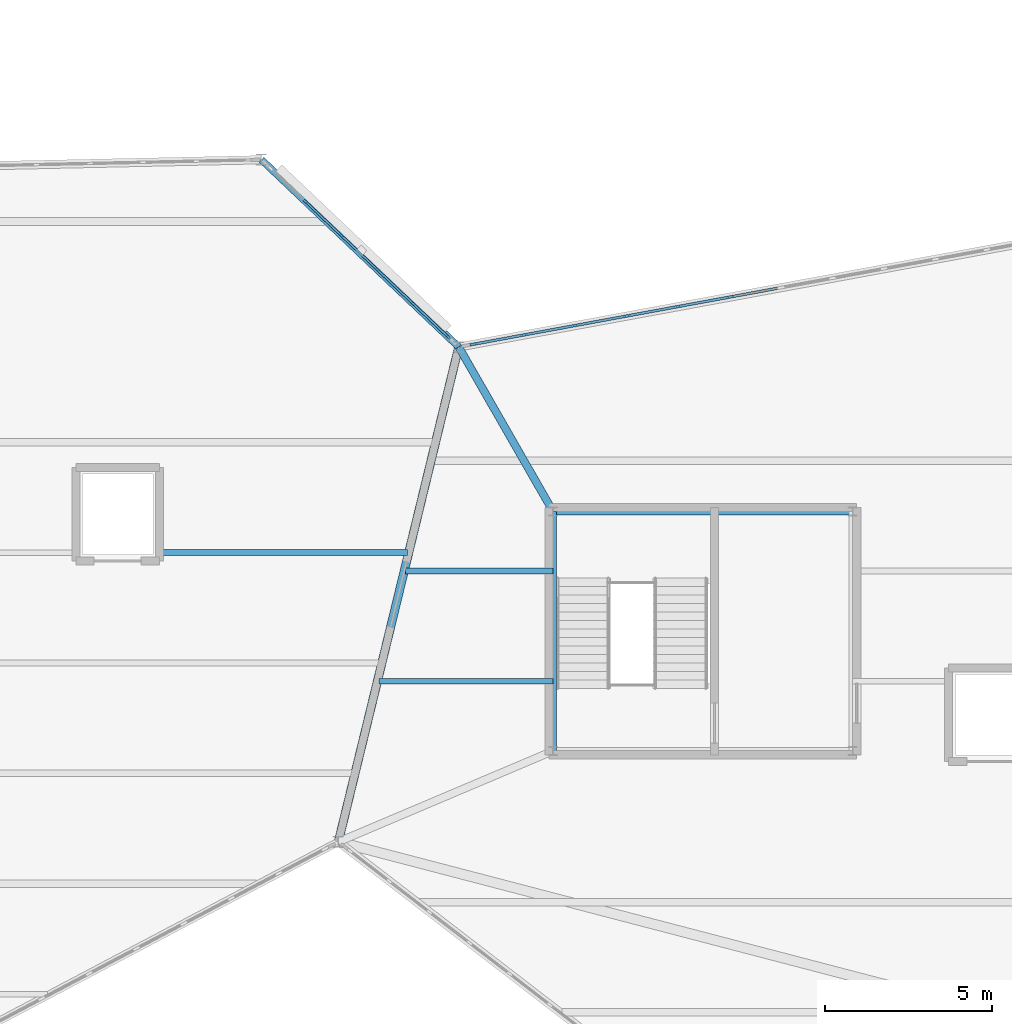
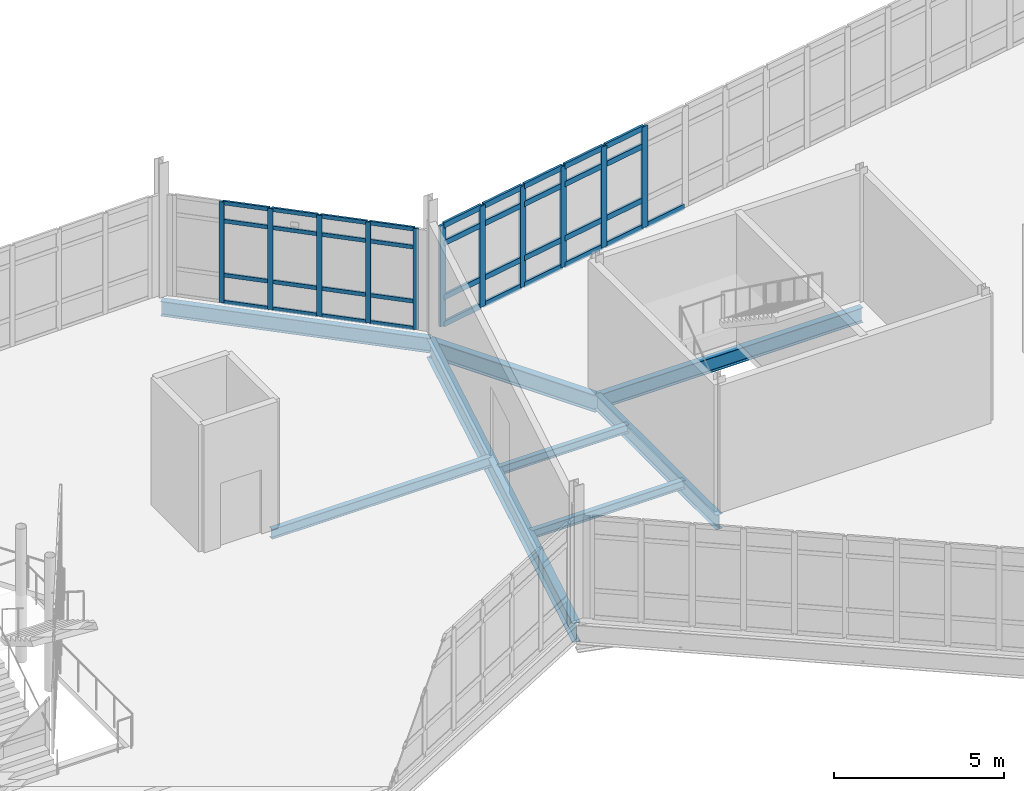
# One storey, part 39 of 114: 48 members, 8 beams, 2 elements without a shape of their own.
"""IFC4 building model written with IfcOpenShell, lengths in metres."""

from ifc_helpers import new_model, si_unit, direction, frame, origin, origin_2d, place, context, subcontext, project, spatial, rectangle, i_section, extrude, material, material_profile, profile_set, type_object, element, aggregate, save


model = new_model("IFC4")

# Units and contexts
model_context = context("Model", 3, precision=1e-05, world=origin(), true_north=direction((0.0, 1.0)))
body_context = subcontext(model_context, "Body", "Model", "MODEL_VIEW")
ifc_project = project(units=[si_unit("LENGTHUNIT", "METRE"), si_unit("AREAUNIT", "SQUARE_METRE"), si_unit("VOLUMEUNIT", "CUBIC_METRE"), si_unit("PLANEANGLEUNIT", "RADIAN"), si_unit("MASSUNIT", "GRAM", prefix="KILO")], contexts=[model_context])

# Site, building, storey
site_placement = place(None, origin())
site = spatial("IfcSite", under=ifc_project, at=site_placement, CompositionType="ELEMENT")
building_placement = place(site_placement, origin())
building = spatial("IfcBuilding", under=site, at=building_placement, Name="Tameran Prism Museum", CompositionType="ELEMENT")
storey_placement = place(building_placement, frame((0.0, 0.0, 10.199951171875)))
storey = spatial("IfcBuildingStorey", under=building, at=storey_placement, Name="L02", CompositionType="ELEMENT", Elevation=10.199951171875)

# Beams
ifc_material_1 = material(Name="Steel Grade 300PLUS (300 MPa)", Category="steel")
ifc_material_profile_1 = material_profile(ifc_material_1, i_section(OverallWidth=0.166015625, OverallDepth=0.306884765625, WebThickness=0.006591796875, FlangeThickness=0.01171875, FilletRadius=0.011474609375, at=origin_2d()))
ifc_profile_set_1 = profile_set([ifc_material_profile_1])
beam_type_1 = type_object("IfcBeamType", Name="BM-J310A", PredefinedType="JOIST", material=ifc_profile_set_1)
beam_1_placement = place(storey_placement, frame((99.30908203125, 33.0, -0.37353515625), z_axis=(1.0, 0.0, 0.0), x_axis=(0.0, 1.0, 0.0)))
element("IfcBeam", 1, at=beam_1_placement, inside=storey, type_object=beam_type_1, Name="Floor Beam BM-0875", PredefinedType="JOIST", context=body_context, shape_type="SweptSolid", body=[
    extrude(i_section(OverallWidth=0.166015625, OverallDepth=0.306884765625, WebThickness=0.006591796875, FlangeThickness=0.01171875, FilletRadius=0.011474609375, at=origin_2d()), origin(), (0.0, 0.0, 1.0), 5.2109375),
])
ifc_material_2 = material(Name="Steel Grade 300PLUS (300 MPa)", Category="steel")
ifc_material_profile_2 = material_profile(ifc_material_2, i_section(OverallWidth=0.1650390625, OverallDepth=0.303955078125, WebThickness=0.006103515625, FlangeThickness=0.01025390625, FilletRadius=0.011474609375, at=origin_2d()))
ifc_profile_set_2 = profile_set([ifc_material_profile_2])
beam_type_2 = type_object("IfcBeamType", Name="BM-J310B", PredefinedType="JOIST", material=ifc_profile_set_2)
beam_2_placement = place(storey_placement, frame((100.111083984375, 36.300048828125, -0.3720703125), z_axis=(1.0, 0.0, 0.0), x_axis=(0.0, 1.0, 0.0)))
element("IfcBeam", 2, at=beam_2_placement, inside=storey, type_object=beam_type_2, Name="Floor Beam BM-0878", PredefinedType="JOIST", context=body_context, shape_type="SweptSolid", body=[
    extrude(i_section(OverallWidth=0.1650390625, OverallDepth=0.303955078125, WebThickness=0.006103515625, FlangeThickness=0.01025390625, FilletRadius=0.011474609375, at=origin_2d()), origin(), (0.0, 0.0, 1.0), 4.408935546875),
])
ifc_material_3 = material(Name="Steel Grade 300PLUS (300 MPa)", Category="steel")
ifc_material_profile_3 = material_profile(ifc_material_3, i_section(OverallWidth=0.1708984375, OverallDepth=0.35595703125, WebThickness=0.00732421875, FlangeThickness=0.011474609375, FilletRadius=0.011474609375, at=origin_2d()))
ifc_profile_set_3 = profile_set([ifc_material_profile_3])
beam_type_3 = type_object("IfcBeamType", Name="BM-J360B", PredefinedType="JOIST", material=ifc_profile_set_3)
beam_3_placement = place(storey_placement, frame((92.72998046875, 36.85009765625, -0.3779296875), z_axis=(1.0, 0.0, 0.0), x_axis=(0.0, 1.0, 0.0)))
element("IfcBeam", 3, at=beam_3_placement, inside=storey, type_object=beam_type_3, Name="Floor Beam BM-0859", PredefinedType="JOIST", context=body_context, shape_type="SweptSolid", body=[
    extrude(i_section(OverallWidth=0.1708984375, OverallDepth=0.35595703125, WebThickness=0.00732421875, FlangeThickness=0.011474609375, FilletRadius=0.011474609375, at=origin_2d()), origin(), (0.0, 0.0, 1.0), 7.43310546875),
])
ifc_material_4 = material(Name="Steel Grade 300PLUS (300 MPa)", Category="steel")
ifc_material_profile_4 = material_profile(ifc_material_4, i_section(OverallWidth=0.208984375, OverallDepth=0.528076171875, WebThickness=0.009521484375, FlangeThickness=0.01318359375, FilletRadius=0.013916015625, at=origin_2d()))
ifc_profile_set_4 = profile_set([ifc_material_profile_4])
beam_type_4 = type_object("IfcBeamType", Name="BM-SP530B", PredefinedType="SPANDREL", material=ifc_profile_set_4)
beam_4_placement = place(storey_placement, frame((101.699951171875, 43.0, -0.4638671875), z_axis=(-0.725294606745, 0.688438619942, 0.0), x_axis=(-0.688438619942, -0.725294606745, 0.0)))
element("IfcBeam", 4, at=beam_4_placement, inside=storey, type_object=beam_type_4, Name="Perimeter Spandrel SP-0688", PredefinedType="SPANDREL", context=body_context, shape_type="SweptSolid", body=[
    extrude(i_section(OverallWidth=0.208984375, OverallDepth=0.528076171875, WebThickness=0.009521484375, FlangeThickness=0.01318359375, FilletRadius=0.013916015625, at=origin_2d()), origin(), (0.0, 0.0, 1.0), 8.134521484375),
])
beam_5_placement = place(storey_placement, frame((113.47998046875, 38.080078125, -0.50390625), z_axis=(-1.0, 0.0, 0.0), x_axis=(0.0, -1.0, 0.0)))
element("IfcBeam", 5, at=beam_5_placement, inside=storey, type_object=beam_type_4, Name="Core Ring Beam CTB-0779", PredefinedType="SPANDREL", context=body_context, shape_type="SweptSolid", body=[
    extrude(i_section(OverallWidth=0.208984375, OverallDepth=0.528076171875, WebThickness=0.009521484375, FlangeThickness=0.01318359375, FilletRadius=0.013916015625, at=origin_2d()), origin(), (0.0, 0.0, 1.0), 8.9599609375),
])
beam_6_placement = place(storey_placement, frame((104.52001953125, 38.080078125, -0.50390625), z_axis=(0.0, -1.0, 0.0), x_axis=(1.0, 0.0, 0.0)))
element("IfcBeam", 6, at=beam_6_placement, inside=storey, type_object=beam_type_4, Name="Core Ring Beam CTB-0780", PredefinedType="SPANDREL", context=body_context, shape_type="SweptSolid", body=[
    extrude(i_section(OverallWidth=0.208984375, OverallDepth=0.528076171875, WebThickness=0.009521484375, FlangeThickness=0.01318359375, FilletRadius=0.013916015625, at=origin_2d()), origin(), (0.0, 0.0, 1.0), 7.16015625),
])
ifc_material_5 = material(Name="Steel Grade 350 (350 MPa)", Category="steel")
ifc_material_profile_5 = material_profile(ifc_material_5, i_section(OverallWidth=0.25, OverallDepth=0.699951171875, WebThickness=0.010009765625, FlangeThickness=0.02001953125, at=origin_2d()))
ifc_profile_set_5 = profile_set([ifc_material_profile_5])
beam_type_5 = type_object("IfcBeamType", Name="BM-SP700", PredefinedType="SPANDREL", material=ifc_profile_set_5)
beam_7_placement = place(storey_placement, frame((98.10009765625, 28.199951171875, -0.570068359375), z_axis=(0.236341762997, 0.971669990822, 0.0), x_axis=(-0.971669990822, 0.236341762997, 0.0)))
element("IfcBeam", 7, at=beam_7_placement, inside=storey, type_object=beam_type_5, Name="Perimeter Spandrel SP-0687", PredefinedType="SPANDREL", context=body_context, shape_type="SweptSolid", body=[
    extrude(i_section(OverallWidth=0.25, OverallDepth=0.699951171875, WebThickness=0.010009765625, FlangeThickness=0.02001953125, at=origin_2d()), origin(), (0.0, 0.0, 1.0), 15.2314453125),
])
ifc_material_6 = material(Name="Steel Grade 300PLUS (300 MPa)", Category="steel")
ifc_material_profile_6 = material_profile(ifc_material_6, i_section(OverallWidth=0.22900390625, OverallDepth=0.612060546875, WebThickness=0.011962890625, FlangeThickness=0.01953125, FilletRadius=0.013916015625, at=origin_2d()))
ifc_profile_set_6 = profile_set([ifc_material_profile_6])
beam_type_6 = type_object("IfcBeamType", Name="BM-UB610A", PredefinedType="BEAM", material=ifc_profile_set_6)
beam_8_placement = place(storey_placement, frame((104.52001953125, 38.080078125, -0.56005859375), z_axis=(-0.4972929541, 0.867582686436, 0.0), x_axis=(-0.867582686436, -0.4972929541, 0.0)))
element("IfcBeam", 8, at=beam_8_placement, inside=storey, type_object=beam_type_6, Name="Frame Tie Girder FG-1423", PredefinedType="BEAM", context=body_context, shape_type="SweptSolid", body=[
    extrude(i_section(OverallWidth=0.22900390625, OverallDepth=0.612060546875, WebThickness=0.011962890625, FlangeThickness=0.01953125, FilletRadius=0.013916015625, at=origin_2d()), origin(), (0.0, 0.0, 1.0), 5.6708984375),
])

# Curtain wall, members
ifc_material_7 = material(Name="Anodised Aluminium 6063-T6 and Cyclone Solar Glass", Category="aluminium")
curtain_wall_type_1 = type_object("IfcCurtainWallType", Name="CW-FAC-738x362", PredefinedType="USERDEFINED", material=ifc_material_7)
curtain_wall_1_placement = place(storey_placement, origin())
curtain_wall_1 = element("IfcCurtainWall", 9, at=curtain_wall_1_placement, inside=storey, type_object=curtain_wall_type_1, Name="Unitised Curtain Wall CW-111", ObjectType="UNITISED CURTAIN WALL", PredefinedType="USERDEFINED")
ifc_material_8 = material(Name="Anodised Aluminium Alloy 6063-T6", Category="aluminium")
ifc_material_profile_7 = material_profile(ifc_material_8, rectangle(XDim=0.06494140625, YDim=0.159912109375, at=origin_2d()))
ifc_profile_set_7 = profile_set([ifc_material_profile_7])
member_type_1 = type_object("IfcMemberType", Name="CW-MUL-A", PredefinedType="MULLION", material=ifc_profile_set_7)
member_1_placement = place(storey_placement, frame((97.123779296875, 47.343505859375, 0.0), z_axis=(0.0, 0.0, 1.0), x_axis=(0.688425100987, 0.725307438491, 0.0)))
member_1 = element("IfcMember", 10, at=member_1_placement, type_object=member_type_1, Name="CW-111 mullion 2", PredefinedType="MULLION", context=body_context, shape_type="SweptSolid", body=[
    extrude(rectangle(XDim=0.06494140625, YDim=0.159912109375, at=origin_2d()), origin(), (0.0, 0.0, 1.0), 3.6201171875),
])
member_2_placement = place(storey_placement, frame((98.193603515625, 46.328125, 0.0), z_axis=(0.0, 0.0, 1.0), x_axis=(0.688425100987, 0.725307438491, 0.0)))
member_2 = element("IfcMember", 11, at=member_2_placement, type_object=member_type_1, Name="CW-111 mullion 3", PredefinedType="MULLION", context=body_context, shape_type="SweptSolid", body=[
    extrude(rectangle(XDim=0.06494140625, YDim=0.159912109375, at=origin_2d()), origin(), (0.0, 0.0, 1.0), 3.6201171875),
])
member_3_placement = place(storey_placement, frame((99.263427734375, 45.312744140625, 0.0), z_axis=(0.0, 0.0, 1.0), x_axis=(0.688425100987, 0.725307438491, 0.0)))
member_3 = element("IfcMember", 12, at=member_3_placement, type_object=member_type_1, Name="CW-111 mullion 4", PredefinedType="MULLION", context=body_context, shape_type="SweptSolid", body=[
    extrude(rectangle(XDim=0.06494140625, YDim=0.159912109375, at=origin_2d()), origin(), (0.0, 0.0, 1.0), 3.6201171875),
])
member_4_placement = place(storey_placement, frame((100.333251953125, 44.29736328125, 0.0), z_axis=(0.0, 0.0, 1.0), x_axis=(0.688425100987, 0.725307438491, 0.0)))
member_4 = element("IfcMember", 13, at=member_4_placement, type_object=member_type_1, Name="CW-111 mullion 5", PredefinedType="MULLION", context=body_context, shape_type="SweptSolid", body=[
    extrude(rectangle(XDim=0.06494140625, YDim=0.159912109375, at=origin_2d()), origin(), (0.0, 0.0, 1.0), 3.6201171875),
])
member_5_placement = place(storey_placement, frame((101.37939453125, 43.304443359375, 0.0), z_axis=(0.0, 0.0, 1.0), x_axis=(0.688425100987, 0.725307438491, 0.0)))
member_5 = element("IfcMember", 14, at=member_5_placement, type_object=member_type_1, Name="CW-111 mullion 6", PredefinedType="MULLION", context=body_context, shape_type="SweptSolid", body=[
    extrude(rectangle(XDim=0.06494140625, YDim=0.159912109375, at=origin_2d()), origin(), (0.0, 0.0, 1.0), 3.6201171875),
])

ifc_material_9 = material(Name="Anodised Aluminium 6063-T6 and Cyclone Solar Glass", Category="aluminium")
curtain_wall_type_2 = type_object("IfcCurtainWallType", Name="CW-FAC-2348x362", PredefinedType="USERDEFINED", material=ifc_material_9)
curtain_wall_2_placement = place(storey_placement, origin())
curtain_wall_2 = element("IfcCurtainWall", 15, at=curtain_wall_2_placement, inside=storey, type_object=curtain_wall_type_2, Name="Unitised Curtain Wall CW-118", ObjectType="UNITISED CURTAIN WALL", PredefinedType="USERDEFINED")
ifc_material_10 = material(Name="Anodised Aluminium Alloy 6063-T6", Category="aluminium")
ifc_material_profile_8 = material_profile(ifc_material_10, rectangle(XDim=0.080078125, YDim=0.219970703125, at=origin_2d()))
ifc_profile_set_8 = profile_set([ifc_material_profile_8])
member_type_2 = type_object("IfcMemberType", Name="CW-MUL-D", PredefinedType="MULLION", material=ifc_profile_set_8)
member_6_placement = place(storey_placement, frame((102.142333984375, 43.081298828125, 0.0), z_axis=(0.0, 0.0, 1.0), x_axis=(-0.181062693106, 0.98347155585, 0.0)))
member_6 = element("IfcMember", 16, at=member_6_placement, type_object=member_type_2, Name="CW-118 mullion 1", PredefinedType="MULLION", context=body_context, shape_type="SweptSolid", body=[
    extrude(rectangle(XDim=0.080078125, YDim=0.219970703125, at=origin_2d()), origin(), (0.0, 0.0, 1.0), 3.6201171875),
])
member_7_placement = place(storey_placement, frame((103.642333984375, 43.357421875, 0.0), z_axis=(0.0, 0.0, 1.0), x_axis=(-0.181062693106, 0.98347155585, 0.0)))
member_7 = element("IfcMember", 17, at=member_7_placement, type_object=member_type_2, Name="CW-118 mullion 2", PredefinedType="MULLION", context=body_context, shape_type="SweptSolid", body=[
    extrude(rectangle(XDim=0.080078125, YDim=0.219970703125, at=origin_2d()), origin(), (0.0, 0.0, 1.0), 3.6201171875),
])
member_8_placement = place(storey_placement, frame((105.181640625, 43.640869140625, 0.0), z_axis=(0.0, 0.0, 1.0), x_axis=(-0.181062693106, 0.98347155585, 0.0)))
member_8 = element("IfcMember", 18, at=member_8_placement, type_object=member_type_2, Name="CW-118 mullion 3", PredefinedType="MULLION", context=body_context, shape_type="SweptSolid", body=[
    extrude(rectangle(XDim=0.080078125, YDim=0.219970703125, at=origin_2d()), origin(), (0.0, 0.0, 1.0), 3.6201171875),
])
member_9_placement = place(storey_placement, frame((106.720947265625, 43.92431640625, 0.0), z_axis=(0.0, 0.0, 1.0), x_axis=(-0.181062693106, 0.98347155585, 0.0)))
member_9 = element("IfcMember", 19, at=member_9_placement, type_object=member_type_2, Name="CW-118 mullion 4", PredefinedType="MULLION", context=body_context, shape_type="SweptSolid", body=[
    extrude(rectangle(XDim=0.080078125, YDim=0.219970703125, at=origin_2d()), origin(), (0.0, 0.0, 1.0), 3.6201171875),
])
member_10_placement = place(storey_placement, frame((108.26025390625, 44.20751953125, 0.0), z_axis=(0.0, 0.0, 1.0), x_axis=(-0.181062693106, 0.98347155585, 0.0)))
member_10 = element("IfcMember", 20, at=member_10_placement, type_object=member_type_2, Name="CW-118 mullion 5", PredefinedType="MULLION", context=body_context, shape_type="SweptSolid", body=[
    extrude(rectangle(XDim=0.080078125, YDim=0.219970703125, at=origin_2d()), origin(), (0.0, 0.0, 1.0), 3.6201171875),
])
member_11_placement = place(storey_placement, frame((109.799560546875, 44.490966796875, 0.0), z_axis=(0.0, 0.0, 1.0), x_axis=(-0.181062693106, 0.98347155585, 0.0)))
member_11 = element("IfcMember", 21, at=member_11_placement, type_object=member_type_2, Name="CW-118 mullion 6", PredefinedType="MULLION", context=body_context, shape_type="SweptSolid", body=[
    extrude(rectangle(XDim=0.080078125, YDim=0.219970703125, at=origin_2d()), origin(), (0.0, 0.0, 1.0), 3.6201171875),
])

# Member
ifc_material_11 = material(Name="Anodised Aluminium Alloy 6063-T6", Category="aluminium")
ifc_material_profile_9 = material_profile(ifc_material_11, rectangle(XDim=0.06494140625, YDim=0.139892578125, at=origin_2d()))
ifc_profile_set_9 = profile_set([ifc_material_profile_9])
member_type_3 = type_object("IfcMemberType", Name="CW-TRN-A", PredefinedType="USERDEFINED", material=ifc_profile_set_9)
member_12_placement = place(storey_placement, frame((97.1474609375, 47.3212890625, 0.032470703125), z_axis=(0.725224216507, -0.688512770972, 0.0), x_axis=(0.688512770972, 0.725224216507, 0.0)))
member_12 = element("IfcMember", 22, at=member_12_placement, type_object=member_type_3, Name="CW-111 transom 2.1", ObjectType="TRANSOM", PredefinedType="USERDEFINED", context=body_context, shape_type="SweptSolid", body=[
    extrude(rectangle(XDim=0.06494140625, YDim=0.139892578125, at=origin_2d()), origin(), (0.0, 0.0, 1.0), 1.409912109375),
])

member_13_placement = place(storey_placement, frame((97.1474609375, 47.3212890625, 1.0), z_axis=(0.725224216507, -0.688512770972, 0.0), x_axis=(0.688512770972, 0.725224216507, 0.0)))
member_13 = element("IfcMember", 23, at=member_13_placement, type_object=member_type_3, Name="CW-111 transom 2.2", ObjectType="TRANSOM", PredefinedType="USERDEFINED", context=body_context, shape_type="SweptSolid", body=[
    extrude(rectangle(XDim=0.06494140625, YDim=0.139892578125, at=origin_2d()), origin(), (0.0, 0.0, 1.0), 1.409912109375),
])

member_14_placement = place(storey_placement, frame((97.1474609375, 47.3212890625, 2.93994140625), z_axis=(0.725224216507, -0.688512770972, 0.0), x_axis=(0.688512770972, 0.725224216507, 0.0)))
member_14 = element("IfcMember", 24, at=member_14_placement, type_object=member_type_3, Name="CW-111 transom 2.3", ObjectType="TRANSOM", PredefinedType="USERDEFINED", context=body_context, shape_type="SweptSolid", body=[
    extrude(rectangle(XDim=0.06494140625, YDim=0.139892578125, at=origin_2d()), origin(), (0.0, 0.0, 1.0), 1.409912109375),
])

member_15_placement = place(storey_placement, frame((97.1474609375, 47.3212890625, 3.587646484375), z_axis=(0.725224216507, -0.688512770972, 0.0), x_axis=(0.688512770972, 0.725224216507, 0.0)))
member_15 = element("IfcMember", 25, at=member_15_placement, type_object=member_type_3, Name="CW-111 transom 2.4", ObjectType="TRANSOM", PredefinedType="USERDEFINED", context=body_context, shape_type="SweptSolid", body=[
    extrude(rectangle(XDim=0.06494140625, YDim=0.139892578125, at=origin_2d()), origin(), (0.0, 0.0, 1.0), 1.409912109375),
])

member_16_placement = place(storey_placement, frame((98.21728515625, 46.305908203125, 0.032470703125), z_axis=(0.725224216507, -0.688512770972, 0.0), x_axis=(0.688512770972, 0.725224216507, 0.0)))
member_16 = element("IfcMember", 26, at=member_16_placement, type_object=member_type_3, Name="CW-111 transom 3.1", ObjectType="TRANSOM", PredefinedType="USERDEFINED", context=body_context, shape_type="SweptSolid", body=[
    extrude(rectangle(XDim=0.06494140625, YDim=0.139892578125, at=origin_2d()), origin(), (0.0, 0.0, 1.0), 1.409912109375),
])

member_17_placement = place(storey_placement, frame((98.21728515625, 46.305908203125, 1.0), z_axis=(0.725224216507, -0.688512770972, 0.0), x_axis=(0.688512770972, 0.725224216507, 0.0)))
member_17 = element("IfcMember", 27, at=member_17_placement, type_object=member_type_3, Name="CW-111 transom 3.2", ObjectType="TRANSOM", PredefinedType="USERDEFINED", context=body_context, shape_type="SweptSolid", body=[
    extrude(rectangle(XDim=0.06494140625, YDim=0.139892578125, at=origin_2d()), origin(), (0.0, 0.0, 1.0), 1.409912109375),
])

member_18_placement = place(storey_placement, frame((98.21728515625, 46.305908203125, 2.93994140625), z_axis=(0.725224216507, -0.688512770972, 0.0), x_axis=(0.688512770972, 0.725224216507, 0.0)))
member_18 = element("IfcMember", 28, at=member_18_placement, type_object=member_type_3, Name="CW-111 transom 3.3", ObjectType="TRANSOM", PredefinedType="USERDEFINED", context=body_context, shape_type="SweptSolid", body=[
    extrude(rectangle(XDim=0.06494140625, YDim=0.139892578125, at=origin_2d()), origin(), (0.0, 0.0, 1.0), 1.409912109375),
])

member_19_placement = place(storey_placement, frame((98.21728515625, 46.305908203125, 3.587646484375), z_axis=(0.725224216507, -0.688512770972, 0.0), x_axis=(0.688512770972, 0.725224216507, 0.0)))
member_19 = element("IfcMember", 29, at=member_19_placement, type_object=member_type_3, Name="CW-111 transom 3.4", ObjectType="TRANSOM", PredefinedType="USERDEFINED", context=body_context, shape_type="SweptSolid", body=[
    extrude(rectangle(XDim=0.06494140625, YDim=0.139892578125, at=origin_2d()), origin(), (0.0, 0.0, 1.0), 1.409912109375),
])

member_20_placement = place(storey_placement, frame((99.286865234375, 45.29052734375, 0.032470703125), z_axis=(0.725306290926, -0.688426310031, 0.0), x_axis=(0.688426310031, 0.725306290926, 0.0)))
member_20 = element("IfcMember", 30, at=member_20_placement, type_object=member_type_3, Name="CW-111 transom 4.1", ObjectType="TRANSOM", PredefinedType="USERDEFINED", context=body_context, shape_type="SweptSolid", body=[
    extrude(rectangle(XDim=0.06494140625, YDim=0.139892578125, at=origin_2d()), origin(), (0.0, 0.0, 1.0), 1.409912109375),
])

member_21_placement = place(storey_placement, frame((99.286865234375, 45.29052734375, 1.0), z_axis=(0.725306290926, -0.688426310031, 0.0), x_axis=(0.688426310031, 0.725306290926, 0.0)))
member_21 = element("IfcMember", 31, at=member_21_placement, type_object=member_type_3, Name="CW-111 transom 4.2", ObjectType="TRANSOM", PredefinedType="USERDEFINED", context=body_context, shape_type="SweptSolid", body=[
    extrude(rectangle(XDim=0.06494140625, YDim=0.139892578125, at=origin_2d()), origin(), (0.0, 0.0, 1.0), 1.409912109375),
])

member_22_placement = place(storey_placement, frame((99.286865234375, 45.29052734375, 2.93994140625), z_axis=(0.725306290926, -0.688426310031, 0.0), x_axis=(0.688426310031, 0.725306290926, 0.0)))
member_22 = element("IfcMember", 32, at=member_22_placement, type_object=member_type_3, Name="CW-111 transom 4.3", ObjectType="TRANSOM", PredefinedType="USERDEFINED", context=body_context, shape_type="SweptSolid", body=[
    extrude(rectangle(XDim=0.06494140625, YDim=0.139892578125, at=origin_2d()), origin(), (0.0, 0.0, 1.0), 1.409912109375),
])

member_23_placement = place(storey_placement, frame((99.286865234375, 45.29052734375, 3.587646484375), z_axis=(0.725306290926, -0.688426310031, 0.0), x_axis=(0.688426310031, 0.725306290926, 0.0)))
member_23 = element("IfcMember", 33, at=member_23_placement, type_object=member_type_3, Name="CW-111 transom 4.4", ObjectType="TRANSOM", PredefinedType="USERDEFINED", context=body_context, shape_type="SweptSolid", body=[
    extrude(rectangle(XDim=0.06494140625, YDim=0.139892578125, at=origin_2d()), origin(), (0.0, 0.0, 1.0), 1.409912109375),
])

member_24_placement = place(storey_placement, frame((100.356689453125, 44.275146484375, 0.032470703125), z_axis=(0.72529579304, -0.688437370135, 0.0), x_axis=(0.688437370135, 0.72529579304, 0.0)))
member_24 = element("IfcMember", 34, at=member_24_placement, type_object=member_type_3, Name="CW-111 transom 5.1", ObjectType="TRANSOM", PredefinedType="USERDEFINED", context=body_context, shape_type="SweptSolid", body=[
    extrude(rectangle(XDim=0.06494140625, YDim=0.139892578125, at=origin_2d()), origin(), (0.0, 0.0, 1.0), 1.377685546875),
])

member_25_placement = place(storey_placement, frame((100.356689453125, 44.275146484375, 1.0), z_axis=(0.72529579304, -0.688437370135, 0.0), x_axis=(0.688437370135, 0.72529579304, 0.0)))
member_25 = element("IfcMember", 35, at=member_25_placement, type_object=member_type_3, Name="CW-111 transom 5.2", ObjectType="TRANSOM", PredefinedType="USERDEFINED", context=body_context, shape_type="SweptSolid", body=[
    extrude(rectangle(XDim=0.06494140625, YDim=0.139892578125, at=origin_2d()), origin(), (0.0, 0.0, 1.0), 1.377685546875),
])

member_26_placement = place(storey_placement, frame((100.356689453125, 44.275146484375, 2.93994140625), z_axis=(0.72529579304, -0.688437370135, 0.0), x_axis=(0.688437370135, 0.72529579304, 0.0)))
member_26 = element("IfcMember", 36, at=member_26_placement, type_object=member_type_3, Name="CW-111 transom 5.3", ObjectType="TRANSOM", PredefinedType="USERDEFINED", context=body_context, shape_type="SweptSolid", body=[
    extrude(rectangle(XDim=0.06494140625, YDim=0.139892578125, at=origin_2d()), origin(), (0.0, 0.0, 1.0), 1.377685546875),
])

member_27_placement = place(storey_placement, frame((100.356689453125, 44.275146484375, 3.587646484375), z_axis=(0.72529579304, -0.688437370135, 0.0), x_axis=(0.688437370135, 0.72529579304, 0.0)))
member_27 = element("IfcMember", 37, at=member_27_placement, type_object=member_type_3, Name="CW-111 transom 5.4", ObjectType="TRANSOM", PredefinedType="USERDEFINED", context=body_context, shape_type="SweptSolid", body=[
    extrude(rectangle(XDim=0.06494140625, YDim=0.139892578125, at=origin_2d()), origin(), (0.0, 0.0, 1.0), 1.377685546875),
])

aggregate(curtain_wall_1, [member_1, member_2, member_3, member_4, member_5, member_12, member_13, member_14, member_15, member_16, member_17, member_18, member_19, member_20, member_21, member_22, member_23, member_24, member_25, member_26, member_27])

ifc_material_12 = material(Name="Anodised Aluminium Alloy 6063-T6", Category="aluminium")
ifc_material_profile_10 = material_profile(ifc_material_12, rectangle(XDim=0.080078125, YDim=0.195068359375, at=origin_2d()))
ifc_profile_set_10 = profile_set([ifc_material_profile_10])
member_type_4 = type_object("IfcMemberType", Name="CW-TRN-D", PredefinedType="USERDEFINED", material=ifc_profile_set_10)
member_28_placement = place(storey_placement, frame((102.181640625, 43.08837890625, 0.0400390625), z_axis=(0.983467441572, 0.181085039053, 0.0), x_axis=(-0.181085039053, 0.983467441572, 0.0)))
member_28 = element("IfcMember", 38, at=member_28_placement, type_object=member_type_4, Name="CW-118 transom 1.1", ObjectType="TRANSOM", PredefinedType="USERDEFINED", context=body_context, shape_type="SweptSolid", body=[
    extrude(rectangle(XDim=0.080078125, YDim=0.195068359375, at=origin_2d()), origin(), (0.0, 0.0, 1.0), 1.4453125),
])

member_29_placement = place(storey_placement, frame((102.181640625, 43.08837890625, 1.0), z_axis=(0.983467441572, 0.181085039053, 0.0), x_axis=(-0.181085039053, 0.983467441572, 0.0)))
member_29 = element("IfcMember", 39, at=member_29_placement, type_object=member_type_4, Name="CW-118 transom 1.2", ObjectType="TRANSOM", PredefinedType="USERDEFINED", context=body_context, shape_type="SweptSolid", body=[
    extrude(rectangle(XDim=0.080078125, YDim=0.195068359375, at=origin_2d()), origin(), (0.0, 0.0, 1.0), 1.4453125),
])

member_30_placement = place(storey_placement, frame((102.181640625, 43.08837890625, 2.93994140625), z_axis=(0.983467441572, 0.181085039053, 0.0), x_axis=(-0.181085039053, 0.983467441572, 0.0)))
member_30 = element("IfcMember", 40, at=member_30_placement, type_object=member_type_4, Name="CW-118 transom 1.3", ObjectType="TRANSOM", PredefinedType="USERDEFINED", context=body_context, shape_type="SweptSolid", body=[
    extrude(rectangle(XDim=0.080078125, YDim=0.195068359375, at=origin_2d()), origin(), (0.0, 0.0, 1.0), 1.4453125),
])

member_31_placement = place(storey_placement, frame((102.181640625, 43.08837890625, 3.580078125), z_axis=(0.983467441572, 0.181085039053, 0.0), x_axis=(-0.181085039053, 0.983467441572, 0.0)))
member_31 = element("IfcMember", 41, at=member_31_placement, type_object=member_type_4, Name="CW-118 transom 1.4", ObjectType="TRANSOM", PredefinedType="USERDEFINED", context=body_context, shape_type="SweptSolid", body=[
    extrude(rectangle(XDim=0.080078125, YDim=0.195068359375, at=origin_2d()), origin(), (0.0, 0.0, 1.0), 1.4453125),
])

member_32_placement = place(storey_placement, frame((103.681640625, 43.36474609375, 0.0400390625), z_axis=(0.983486312401, 0.180982522138, 0.0), x_axis=(-0.180982522138, 0.983486312401, 0.0)))
member_32 = element("IfcMember", 42, at=member_32_placement, type_object=member_type_4, Name="CW-118 transom 2.1", ObjectType="TRANSOM", PredefinedType="USERDEFINED", context=body_context, shape_type="SweptSolid", body=[
    extrude(rectangle(XDim=0.080078125, YDim=0.195068359375, at=origin_2d()), origin(), (0.0, 0.0, 1.0), 1.485107421875),
])

member_33_placement = place(storey_placement, frame((103.681640625, 43.36474609375, 1.0), z_axis=(0.983486312401, 0.180982522138, 0.0), x_axis=(-0.180982522138, 0.983486312401, 0.0)))
member_33 = element("IfcMember", 43, at=member_33_placement, type_object=member_type_4, Name="CW-118 transom 2.2", ObjectType="TRANSOM", PredefinedType="USERDEFINED", context=body_context, shape_type="SweptSolid", body=[
    extrude(rectangle(XDim=0.080078125, YDim=0.195068359375, at=origin_2d()), origin(), (0.0, 0.0, 1.0), 1.485107421875),
])

member_34_placement = place(storey_placement, frame((103.681640625, 43.36474609375, 2.93994140625), z_axis=(0.983486312401, 0.180982522138, 0.0), x_axis=(-0.180982522138, 0.983486312401, 0.0)))
member_34 = element("IfcMember", 44, at=member_34_placement, type_object=member_type_4, Name="CW-118 transom 2.3", ObjectType="TRANSOM", PredefinedType="USERDEFINED", context=body_context, shape_type="SweptSolid", body=[
    extrude(rectangle(XDim=0.080078125, YDim=0.195068359375, at=origin_2d()), origin(), (0.0, 0.0, 1.0), 1.485107421875),
])

member_35_placement = place(storey_placement, frame((103.681640625, 43.36474609375, 3.580078125), z_axis=(0.983486312401, 0.180982522138, 0.0), x_axis=(-0.180982522138, 0.983486312401, 0.0)))
member_35 = element("IfcMember", 45, at=member_35_placement, type_object=member_type_4, Name="CW-118 transom 2.4", ObjectType="TRANSOM", PredefinedType="USERDEFINED", context=body_context, shape_type="SweptSolid", body=[
    extrude(rectangle(XDim=0.080078125, YDim=0.195068359375, at=origin_2d()), origin(), (0.0, 0.0, 1.0), 1.485107421875),
])

member_36_placement = place(storey_placement, frame((105.220947265625, 43.64794921875, 0.0400390625), z_axis=(0.983457041771, 0.181141510953, 0.0), x_axis=(-0.181141510953, 0.983457041771, 0.0)))
member_36 = element("IfcMember", 46, at=member_36_placement, type_object=member_type_4, Name="CW-118 transom 3.1", ObjectType="TRANSOM", PredefinedType="USERDEFINED", context=body_context, shape_type="SweptSolid", body=[
    extrude(rectangle(XDim=0.080078125, YDim=0.195068359375, at=origin_2d()), origin(), (0.0, 0.0, 1.0), 1.4853515625),
])

member_37_placement = place(storey_placement, frame((105.220947265625, 43.64794921875, 1.0), z_axis=(0.983457041771, 0.181141510953, 0.0), x_axis=(-0.181141510953, 0.983457041771, 0.0)))
member_37 = element("IfcMember", 47, at=member_37_placement, type_object=member_type_4, Name="CW-118 transom 3.2", ObjectType="TRANSOM", PredefinedType="USERDEFINED", context=body_context, shape_type="SweptSolid", body=[
    extrude(rectangle(XDim=0.080078125, YDim=0.195068359375, at=origin_2d()), origin(), (0.0, 0.0, 1.0), 1.4853515625),
])

member_38_placement = place(storey_placement, frame((105.220947265625, 43.64794921875, 2.93994140625), z_axis=(0.983457041771, 0.181141510953, 0.0), x_axis=(-0.181141510953, 0.983457041771, 0.0)))
member_38 = element("IfcMember", 48, at=member_38_placement, type_object=member_type_4, Name="CW-118 transom 3.3", ObjectType="TRANSOM", PredefinedType="USERDEFINED", context=body_context, shape_type="SweptSolid", body=[
    extrude(rectangle(XDim=0.080078125, YDim=0.195068359375, at=origin_2d()), origin(), (0.0, 0.0, 1.0), 1.4853515625),
])

member_39_placement = place(storey_placement, frame((105.220947265625, 43.64794921875, 3.580078125), z_axis=(0.983457041771, 0.181141510953, 0.0), x_axis=(-0.181141510953, 0.983457041771, 0.0)))
member_39 = element("IfcMember", 49, at=member_39_placement, type_object=member_type_4, Name="CW-118 transom 3.4", ObjectType="TRANSOM", PredefinedType="USERDEFINED", context=body_context, shape_type="SweptSolid", body=[
    extrude(rectangle(XDim=0.080078125, YDim=0.195068359375, at=origin_2d()), origin(), (0.0, 0.0, 1.0), 1.4853515625),
])

member_40_placement = place(storey_placement, frame((106.76025390625, 43.931396484375, 0.0400390625), z_axis=(0.983457041771, 0.181141510953, 0.0), x_axis=(-0.181141510953, 0.983457041771, 0.0)))
member_40 = element("IfcMember", 50, at=member_40_placement, type_object=member_type_4, Name="CW-118 transom 4.1", ObjectType="TRANSOM", PredefinedType="USERDEFINED", context=body_context, shape_type="SweptSolid", body=[
    extrude(rectangle(XDim=0.080078125, YDim=0.195068359375, at=origin_2d()), origin(), (0.0, 0.0, 1.0), 1.4853515625),
])

member_41_placement = place(storey_placement, frame((106.76025390625, 43.931396484375, 1.0), z_axis=(0.983457041771, 0.181141510953, 0.0), x_axis=(-0.181141510953, 0.983457041771, 0.0)))
member_41 = element("IfcMember", 51, at=member_41_placement, type_object=member_type_4, Name="CW-118 transom 4.2", ObjectType="TRANSOM", PredefinedType="USERDEFINED", context=body_context, shape_type="SweptSolid", body=[
    extrude(rectangle(XDim=0.080078125, YDim=0.195068359375, at=origin_2d()), origin(), (0.0, 0.0, 1.0), 1.4853515625),
])

member_42_placement = place(storey_placement, frame((106.76025390625, 43.931396484375, 2.93994140625), z_axis=(0.983457041771, 0.181141510953, 0.0), x_axis=(-0.181141510953, 0.983457041771, 0.0)))
member_42 = element("IfcMember", 52, at=member_42_placement, type_object=member_type_4, Name="CW-118 transom 4.3", ObjectType="TRANSOM", PredefinedType="USERDEFINED", context=body_context, shape_type="SweptSolid", body=[
    extrude(rectangle(XDim=0.080078125, YDim=0.195068359375, at=origin_2d()), origin(), (0.0, 0.0, 1.0), 1.4853515625),
])

member_43_placement = place(storey_placement, frame((106.76025390625, 43.931396484375, 3.580078125), z_axis=(0.983457041771, 0.181141510953, 0.0), x_axis=(-0.181141510953, 0.983457041771, 0.0)))
member_43 = element("IfcMember", 53, at=member_43_placement, type_object=member_type_4, Name="CW-118 transom 4.4", ObjectType="TRANSOM", PredefinedType="USERDEFINED", context=body_context, shape_type="SweptSolid", body=[
    extrude(rectangle(XDim=0.080078125, YDim=0.195068359375, at=origin_2d()), origin(), (0.0, 0.0, 1.0), 1.4853515625),
])

member_44_placement = place(storey_placement, frame((108.299560546875, 44.21484375, 0.0400390625), z_axis=(0.983486312401, 0.180982522138, 0.0), x_axis=(-0.180982522138, 0.983486312401, 0.0)))
member_44 = element("IfcMember", 54, at=member_44_placement, type_object=member_type_4, Name="CW-118 transom 5.1", ObjectType="TRANSOM", PredefinedType="USERDEFINED", context=body_context, shape_type="SweptSolid", body=[
    extrude(rectangle(XDim=0.080078125, YDim=0.195068359375, at=origin_2d()), origin(), (0.0, 0.0, 1.0), 1.485107421875),
])

member_45_placement = place(storey_placement, frame((108.299560546875, 44.21484375, 1.0), z_axis=(0.983486312401, 0.180982522138, 0.0), x_axis=(-0.180982522138, 0.983486312401, 0.0)))
member_45 = element("IfcMember", 55, at=member_45_placement, type_object=member_type_4, Name="CW-118 transom 5.2", ObjectType="TRANSOM", PredefinedType="USERDEFINED", context=body_context, shape_type="SweptSolid", body=[
    extrude(rectangle(XDim=0.080078125, YDim=0.195068359375, at=origin_2d()), origin(), (0.0, 0.0, 1.0), 1.485107421875),
])

member_46_placement = place(storey_placement, frame((108.299560546875, 44.21484375, 2.93994140625), z_axis=(0.983486312401, 0.180982522138, 0.0), x_axis=(-0.180982522138, 0.983486312401, 0.0)))
member_46 = element("IfcMember", 56, at=member_46_placement, type_object=member_type_4, Name="CW-118 transom 5.3", ObjectType="TRANSOM", PredefinedType="USERDEFINED", context=body_context, shape_type="SweptSolid", body=[
    extrude(rectangle(XDim=0.080078125, YDim=0.195068359375, at=origin_2d()), origin(), (0.0, 0.0, 1.0), 1.485107421875),
])

member_47_placement = place(storey_placement, frame((108.299560546875, 44.21484375, 3.580078125), z_axis=(0.983486312401, 0.180982522138, 0.0), x_axis=(-0.180982522138, 0.983486312401, 0.0)))
member_47 = element("IfcMember", 57, at=member_47_placement, type_object=member_type_4, Name="CW-118 transom 5.4", ObjectType="TRANSOM", PredefinedType="USERDEFINED", context=body_context, shape_type="SweptSolid", body=[
    extrude(rectangle(XDim=0.080078125, YDim=0.195068359375, at=origin_2d()), origin(), (0.0, 0.0, 1.0), 1.485107421875),
])

member_48_placement = place(storey_placement, frame((109.839111328125, 44.498291015625, 0.0400390625), z_axis=(0.983480926878, 0.181011785438, 0.0), x_axis=(-0.181011785438, 0.983480926878, 0.0)))
member_48 = element("IfcMember", 58, at=member_48_placement, type_object=member_type_4, Name="CW-118 transom 6.1", ObjectType="TRANSOM", PredefinedType="USERDEFINED", context=body_context, shape_type="SweptSolid", body=[
    extrude(rectangle(XDim=0.080078125, YDim=0.195068359375, at=origin_2d()), origin(), (0.0, 0.0, 1.0), 1.48486328125),
])

aggregate(curtain_wall_2, [member_6, member_7, member_8, member_9, member_10, member_11, member_28, member_29, member_30, member_31, member_32, member_33, member_34, member_35, member_36, member_37, member_38, member_39, member_40, member_41, member_42, member_43, member_44, member_45, member_46, member_47, member_48])

save(model, "model.ifc")
